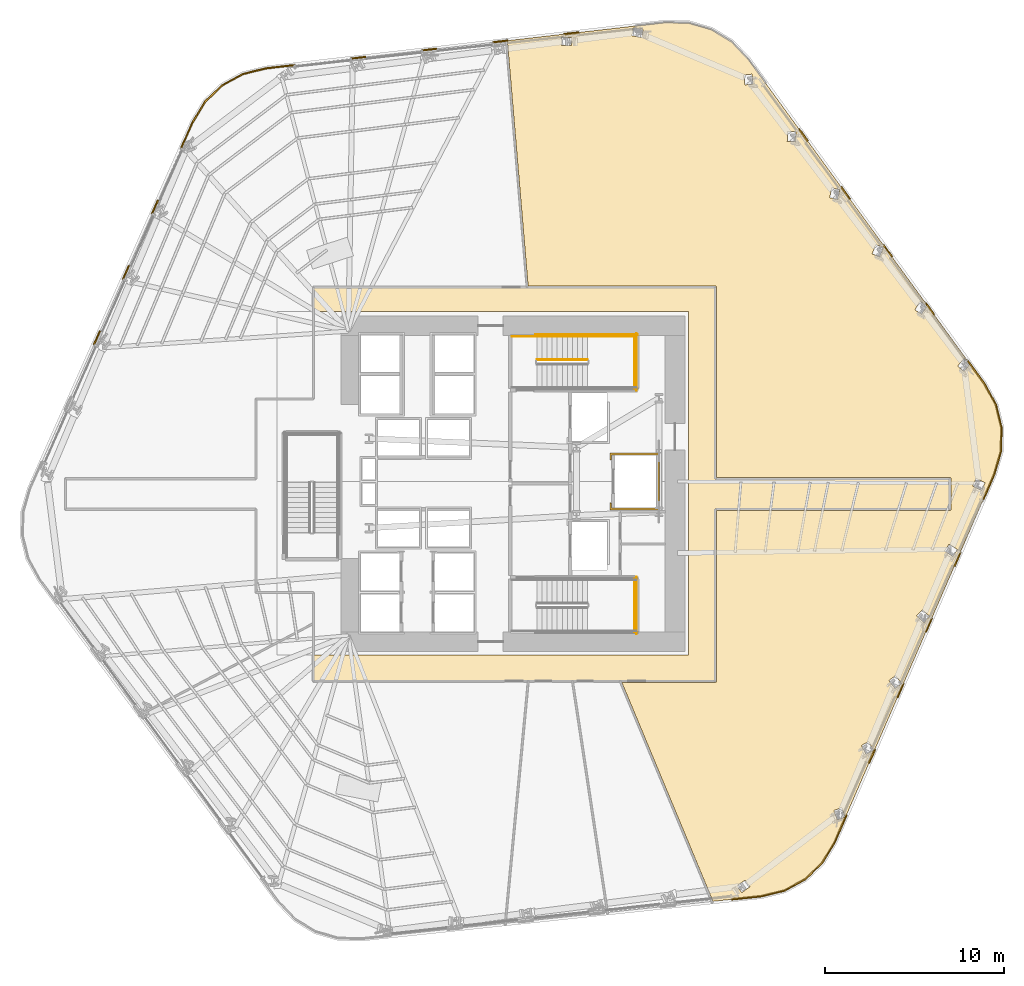
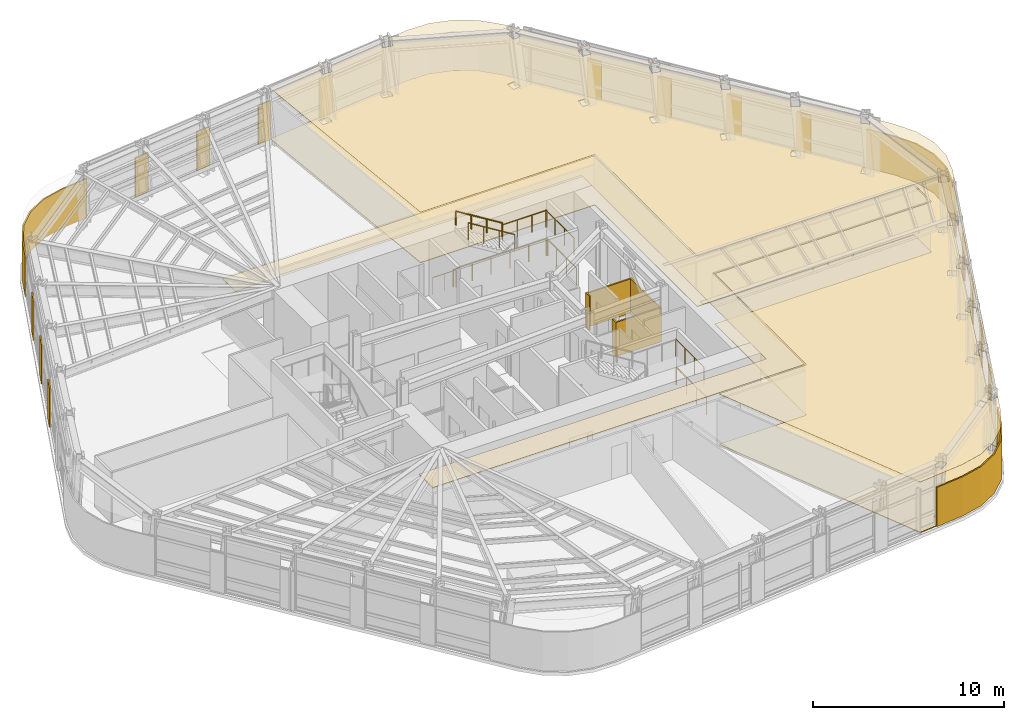
# One storey, part 14 of 16: 22 coverings, 9 railings.
"""IFC4 building model written with IfcOpenShell, lengths in metres."""

from ifc_helpers import new_model, si_unit, direction, frame, origin, origin_2d, place, context, subcontext, project, spatial, polyline, circle, outline, extrude, material, layer, layer_set, type_object, element, save


model = new_model("IFC4")

# Units and contexts
model_context = context("Model", 3, precision=1e-05, world=origin(), true_north=direction((0.0, 1.0)))
body_context = subcontext(model_context, "Body", "Model", "MODEL_VIEW")
ifc_project = project(units=[si_unit("LENGTHUNIT", "METRE"), si_unit("AREAUNIT", "SQUARE_METRE"), si_unit("VOLUMEUNIT", "CUBIC_METRE"), si_unit("PLANEANGLEUNIT", "RADIAN"), si_unit("MASSUNIT", "GRAM", prefix="KILO")], contexts=[model_context])

# Site, building, storey
site_placement = place(None, origin())
site = spatial("IfcSite", under=ifc_project, at=site_placement, CompositionType="ELEMENT")
building_placement = place(site_placement, origin())
building = spatial("IfcBuilding", under=site, at=building_placement, Name="Valkerne Bourse Tower", CompositionType="ELEMENT")
storey_placement = place(building_placement, frame((0.0, 0.0, 50.60009765625)))
storey = spatial("IfcBuildingStorey", under=building, at=storey_placement, Name="L12", CompositionType="ELEMENT", Elevation=50.60009765625)

# Coverings
ifc_material_1 = material(Name="Mineral Fiber Acoustic Ceiling Tile", Category="acoustic")
ifc_layer_1 = layer(ifc_material_1, 0.02490234375)
ifc_layer_set_1 = layer_set([ifc_layer_1], Name="Mineral Fiber Acoustic Ceiling Tile")
covering_type_1 = type_object("IfcCoveringType", Name="COV-CEIL-ACT", PredefinedType="CEILING", material=ifc_layer_set_1)
covering_1_placement = place(storey_placement, frame((0.0, 0.0, 3.22998046875)))
element("IfcCovering", 1, at=covering_1_placement, inside=storey, type_object=covering_type_1, Name="L12 Suspended Ceiling 07", PredefinedType="CEILING", context=body_context, shape_type="SweptSolid", body=[
    extrude(outline(polyline([(61.963623046875, 4.147216796875), (60.67333984375, 3.830322265625), (57.9697265625, 3.544189453125), (52.8759765625, 15.781005859375), (58.1005859375, 15.781005859375), (58.135009765625, 15.790283203125), (58.15966796875, 15.81494140625), (58.1689453125, 15.849609375), (58.1689453125, 25.381103515625), (71.2099609375, 25.381591796875), (71.2509765625, 25.403076171875), (71.268798828125, 25.446533203125), (71.265380859375, 27.1728515625), (71.24072265625, 27.205810546875), (71.20068359375, 27.218994140625), (58.1689453125, 27.218994140625), (58.1689453125, 37.850830078125), (58.151123046875, 37.896484375), (58.12890625, 37.91259765625), (58.100341796875, 37.9189453125), (47.642822265625, 37.9189453125), (46.483642578125, 51.626220703125), (55.284912109375, 52.637939453125), (56.61328125, 52.610107421875), (57.880615234375, 52.2421875), (59.00927734375, 51.55859375), (59.928955078125, 50.599609375), (72.248291015625, 33.66943359375), (71.99755859375, 33.875244140625), (71.642822265625, 33.44775390625), (71.643798828125, 33.444091796875), (71.99609375, 33.15478515625), (72.330078125, 33.55712890625), (73.12939453125, 32.45849609375), (73.769775390625, 31.293701171875), (74.08447265625, 30.01220703125), (74.056884765625, 28.693115234375), (73.68603515625, 27.416259765625), (64.7607421875, 6.832763671875), (64.072509765625, 5.6962890625), (63.1201171875, 4.782958984375), (61.963623046875, 4.147216796875)]), holes=[polyline([(50.0732421875, 51.810791015625), (50.069580078125, 51.811279296875), (49.51611328125, 51.8203125), (49.508056640625, 51.36279296875), (49.51171875, 51.3623046875), (50.065185546875, 51.353515625), (50.0732421875, 51.810791015625)]), polyline([(54.069091796875, 52.258056640625), (54.0654296875, 52.259033203125), (53.51953125, 52.350341796875), (53.443603515625, 51.899169921875), (53.447021484375, 51.898193359375), (53.992919921875, 51.806884765625), (54.069091796875, 52.258056640625)]), polyline([(59.58154296875, 4.033935546875), (60.03125, 4.3564453125), (59.764892578125, 4.728515625), (59.76171875, 4.726806640625), (59.31201171875, 4.404296875), (59.578125, 4.031982421875), (59.58154296875, 4.033935546875)]), polyline([(65.3505859375, 8.25390625), (65.353271484375, 8.256591796875), (65.15771484375, 8.777099609375), (64.730712890625, 8.618896484375), (64.727783203125, 8.6162109375), (64.923583984375, 8.095703125), (65.3505859375, 8.25390625)]), polyline([(66.933349609375, 11.9853515625), (66.662353515625, 12.47119140625), (66.263671875, 12.25048828125), (66.261474609375, 12.247802734375), (66.532470703125, 11.76220703125), (66.93115234375, 11.982421875), (66.933349609375, 11.9853515625)]), polyline([(68.50537109375, 15.71826171875), (68.507080078125, 15.72119140625), (68.161376953125, 16.156982421875), (67.80322265625, 15.875244140625), (67.8017578125, 15.872314453125), (68.147216796875, 15.436279296875), (68.50537109375, 15.71826171875)]), polyline([(70.0703125, 19.457275390625), (70.071533203125, 19.460693359375), (69.65869140625, 19.83349609375), (69.35205078125, 19.49658203125), (69.35107421875, 19.4931640625), (69.763671875, 19.120361328125), (70.0703125, 19.457275390625)]), polyline([(71.626220703125, 23.198974609375), (71.158935546875, 23.50048828125), (70.910400390625, 23.11865234375), (70.909912109375, 23.115234375), (71.377197265625, 22.813720703125), (71.625732421875, 23.195556640625), (71.626220703125, 23.198974609375)]), polyline([(73.1728515625, 26.92822265625), (73.1728515625, 26.93212890625), (72.666015625, 27.16064453125), (72.47705078125, 26.746337890625), (72.47705078125, 26.742431640625), (72.98388671875, 26.513916015625), (73.1728515625, 26.92822265625)]), polyline([(69.9267578125, 36.826171875), (69.534912109375, 37.059814453125), (69.248046875, 36.583984375), (69.24951171875, 36.58056640625), (69.641357421875, 36.346923828125), (69.927978515625, 36.82275390625), (69.9267578125, 36.826171875)]), polyline([(67.495849609375, 40.064208984375), (67.493896484375, 40.0673828125), (67.06982421875, 40.235107421875), (66.863037109375, 39.71923828125), (66.864990234375, 39.71630859375), (67.289306640625, 39.548583984375), (67.495849609375, 40.064208984375)]), polyline([(65.054443359375, 43.302490234375), (65.052001953125, 43.30517578125), (64.60595703125, 43.400390625), (64.4873046875, 42.857666015625), (64.489501953125, 42.85498046875), (64.935546875, 42.759765625), (65.054443359375, 43.302490234375)]), polyline([(62.603515625, 46.535888671875), (62.14794921875, 46.558349609375), (62.117919921875, 46.00341796875), (62.12060546875, 46.001220703125), (62.576171875, 45.97900390625), (62.606201171875, 46.53369140625), (62.603515625, 46.535888671875)]), polyline([(60.208251953125, 49.202392578125), (60.155517578125, 49.75537109375), (60.152099609375, 49.75732421875), (59.698486328125, 49.71142578125), (59.75146484375, 49.158447265625), (59.754638671875, 49.156494140625), (60.208251953125, 49.202392578125)])]), origin(), (0.0, 0.0, 1.0), 0.02490234375),
])
ifc_material_2 = material(Name="Bronze Anodised Aluminium AA 6063-T6", Category="aluminium")
ifc_layer_2 = layer(ifc_material_2, 0.030029296875)
ifc_layer_set_2 = layer_set([ifc_layer_2], Name="Bronze Anodised Aluminium AA 6063-T6")
covering_type_2 = type_object("IfcCoveringType", Name="COV-CEIL-METAL", PredefinedType="CEILING", material=ifc_layer_set_2)
covering_2_placement = place(storey_placement, frame((0.0, 0.0, 3.22998046875)))
element("IfcCovering", 2, at=covering_2_placement, inside=storey, type_object=covering_type_2, Name="L12 Suspended Ceiling 01", PredefinedType="CEILING", context=body_context, shape_type="SweptSolid", body=[
    extrude(outline(polyline([(71.196044921875, 27.14599609375), (71.196044921875, 25.4541015625), (58.095947265625, 25.4541015625), (58.095947265625, 15.85400390625), (35.654052734375, 15.85400390625), (35.654052734375, 17.300048828125), (56.60009765625, 17.300048828125), (56.60009765625, 36.5), (35.654052734375, 36.5), (35.654052734375, 37.845947265625), (58.095947265625, 37.845947265625), (58.095947265625, 27.14599609375), (71.196044921875, 27.14599609375)])), origin(), (0.0, 0.0, 1.0), 0.02490234375),
])
ifc_layer_3 = layer(ifc_material_2, 0.06005859375)
ifc_layer_set_3 = layer_set([ifc_layer_3], Name="Bronze Anodised Aluminium AA 6063-T6")
covering_type_3 = type_object("IfcCoveringType", Name="COV-CRN-ALUM", PredefinedType="CLADDING", material=ifc_layer_set_3)
covering_3_placement = place(storey_placement, origin())
element("IfcCovering", 3, at=covering_3_placement, inside=storey, type_object=covering_type_3, Name="L12 Wind-Shaped Corner Aluminium Cladding 01", PredefinedType="CLADDING", context=body_context, shape_type="SweptSolid", body=[
    extrude(outline(polyline([(64.107177734375, 5.668701171875), (63.146240234375, 4.747314453125), (61.97998046875, 4.10595703125), (60.680908203125, 3.786865234375), (59.010498046875, 3.610107421875), (59.001708984375, 3.689453125), (60.6669921875, 3.86572265625), (61.950439453125, 4.18115234375), (63.098388671875, 4.812255859375), (64.044189453125, 5.718994140625), (64.728759765625, 6.849365234375), (65.39501953125, 8.385986328125), (65.46826171875, 8.353759765625), (64.800048828125, 6.8125), (64.107177734375, 5.668701171875)])), origin(), (0.0, 0.0, 1.0), 2.5),
])
covering_4_placement = place(storey_placement, origin())
element("IfcCovering", 4, at=covering_4_placement, inside=storey, type_object=covering_type_3, Name="L12 Wind-Shaped Corner Aluminium Cladding 13", PredefinedType="CLADDING", context=body_context, shape_type="SweptSolid", body=[
    extrude(outline(polyline([(23.683837890625, 35.423828125), (23.757080078125, 35.391845703125), (23.416015625, 34.624267578125), (23.3427734375, 34.656494140625), (23.683837890625, 35.423828125)])), origin(), (0.0, 0.0, 1.0), 2.5),
])
covering_5_placement = place(storey_placement, origin())
element("IfcCovering", 5, at=covering_5_placement, inside=storey, type_object=covering_type_3, Name="L12 Wind-Shaped Corner Aluminium Cladding 14", PredefinedType="CLADDING", context=body_context, shape_type="SweptSolid", body=[
    extrude(outline(polyline([(25.306396484375, 39.07568359375), (25.379638671875, 39.04345703125), (25.03857421875, 38.27587890625), (24.96533203125, 38.30810546875), (25.306396484375, 39.07568359375)])), origin(), (0.0, 0.0, 1.0), 2.5),
])
covering_6_placement = place(storey_placement, origin())
element("IfcCovering", 6, at=covering_6_placement, inside=storey, type_object=covering_type_3, Name="L12 Wind-Shaped Corner Aluminium Cladding 15", PredefinedType="CLADDING", context=body_context, shape_type="SweptSolid", body=[
    extrude(outline(polyline([(26.92919921875, 42.7275390625), (27.00244140625, 42.6953125), (26.661376953125, 41.927734375), (26.587890625, 41.9599609375), (26.92919921875, 42.7275390625)])), origin(), (0.0, 0.0, 1.0), 2.5),
])
covering_7_placement = place(storey_placement, origin())
element("IfcCovering", 7, at=covering_7_placement, inside=storey, type_object=covering_type_3, Name="L12 Wind-Shaped Corner Aluminium Cladding 16", PredefinedType="CLADDING", context=body_context, shape_type="SweptSolid", body=[
    extrude(outline(polyline([(28.868896484375, 47.093017578125), (29.56201171875, 48.2373046875), (30.522705078125, 49.15869140625), (31.689208984375, 49.800048828125), (32.988525390625, 50.119140625), (34.59912109375, 50.30419921875), (34.60791015625, 50.224853515625), (33.002685546875, 50.040283203125), (31.718505859375, 49.724853515625), (30.570556640625, 49.09375), (29.625, 48.18701171875), (28.93994140625, 47.055908203125), (28.283935546875, 45.57958984375), (28.210693359375, 45.61181640625), (28.868896484375, 47.093017578125)])), origin(), (0.0, 0.0, 1.0), 2.5),
])
covering_8_placement = place(storey_placement, origin())
element("IfcCovering", 8, at=covering_8_placement, inside=storey, type_object=covering_type_3, Name="L12 Wind-Shaped Corner Aluminium Cladding 17", PredefinedType="CLADDING", context=body_context, shape_type="SweptSolid", body=[
    extrude(outline(polyline([(38.56884765625, 50.7607421875), (38.57763671875, 50.68115234375), (37.7431640625, 50.585205078125), (37.734375, 50.664794921875), (38.56884765625, 50.7607421875)])), origin(), (0.0, 0.0, 1.0), 2.5),
])
covering_9_placement = place(storey_placement, origin())
element("IfcCovering", 9, at=covering_9_placement, inside=storey, type_object=covering_type_3, Name="L12 Wind-Shaped Corner Aluminium Cladding 18", PredefinedType="CLADDING", context=body_context, shape_type="SweptSolid", body=[
    extrude(outline(polyline([(42.538818359375, 51.217041015625), (42.547607421875, 51.137451171875), (41.713134765625, 51.04150390625), (41.704345703125, 51.12109375), (42.538818359375, 51.217041015625)])), origin(), (0.0, 0.0, 1.0), 2.5),
])
covering_10_placement = place(storey_placement, origin())
element("IfcCovering", 10, at=covering_10_placement, inside=storey, type_object=covering_type_3, Name="L12 Wind-Shaped Corner Aluminium Cladding 19", PredefinedType="CLADDING", context=body_context, shape_type="SweptSolid", body=[
    extrude(outline(polyline([(46.5087890625, 51.67333984375), (46.517578125, 51.593994140625), (45.68310546875, 51.498046875), (45.67431640625, 51.577392578125), (46.5087890625, 51.67333984375)])), origin(), (0.0, 0.0, 1.0), 2.5),
])
covering_11_placement = place(storey_placement, origin())
element("IfcCovering", 11, at=covering_11_placement, inside=storey, type_object=covering_type_3, Name="L12 Wind-Shaped Corner Aluminium Cladding 20", PredefinedType="CLADDING", context=body_context, shape_type="SweptSolid", body=[
    extrude(outline(polyline([(50.478515625, 52.1298828125), (50.4873046875, 52.05029296875), (49.65283203125, 51.954345703125), (49.64404296875, 52.033935546875), (50.478515625, 52.1298828125)])), origin(), (0.0, 0.0, 1.0), 2.5),
])
covering_12_placement = place(storey_placement, origin())
element("IfcCovering", 12, at=covering_12_placement, inside=storey, type_object=covering_type_3, Name="L12 Wind-Shaped Corner Aluminium Cladding 22", PredefinedType="CLADDING", context=body_context, shape_type="SweptSolid", body=[
    extrude(outline(polyline([(63.30224609375, 46.038330078125), (63.23779296875, 45.990966796875), (62.74365234375, 46.670166015625), (62.80810546875, 46.717529296875), (63.30224609375, 46.038330078125)])), origin(), (0.0, 0.0, 1.0), 2.5),
])
covering_13_placement = place(storey_placement, origin())
element("IfcCovering", 13, at=covering_13_placement, inside=storey, type_object=covering_type_3, Name="L12 Wind-Shaped Corner Aluminium Cladding 23", PredefinedType="CLADDING", context=body_context, shape_type="SweptSolid", body=[
    extrude(outline(polyline([(65.653564453125, 42.80712890625), (65.589111328125, 42.759765625), (65.0947265625, 43.439208984375), (65.1591796875, 43.486328125), (65.653564453125, 42.80712890625)])), origin(), (0.0, 0.0, 1.0), 2.5),
])
covering_14_placement = place(storey_placement, origin())
element("IfcCovering", 14, at=covering_14_placement, inside=storey, type_object=covering_type_3, Name="L12 Wind-Shaped Corner Aluminium Cladding 24", PredefinedType="CLADDING", context=body_context, shape_type="SweptSolid", body=[
    extrude(outline(polyline([(68.004638671875, 39.575927734375), (67.940185546875, 39.52880859375), (67.44580078125, 40.2080078125), (67.510498046875, 40.25537109375), (68.004638671875, 39.575927734375)])), origin(), (0.0, 0.0, 1.0), 2.5),
])
covering_15_placement = place(storey_placement, origin())
element("IfcCovering", 15, at=covering_15_placement, inside=storey, type_object=covering_type_3, Name="L12 Wind-Shaped Corner Aluminium Cladding 25", PredefinedType="CLADDING", context=body_context, shape_type="SweptSolid", body=[
    extrude(outline(polyline([(70.35595703125, 36.344970703125), (70.29150390625, 36.297607421875), (69.797119140625, 36.976806640625), (69.861572265625, 37.024169921875), (70.35595703125, 36.344970703125)])), origin(), (0.0, 0.0, 1.0), 2.5),
])
covering_16_placement = place(storey_placement, origin())
element("IfcCovering", 16, at=covering_16_placement, inside=storey, type_object=covering_type_3, Name="L12 Wind-Shaped Corner Aluminium Cladding 26", PredefinedType="CLADDING", context=body_context, shape_type="SweptSolid", body=[
    extrude(outline(polyline([(73.16650390625, 32.482421875), (73.81103515625, 31.309814453125), (74.128662109375, 30.01708984375), (74.100830078125, 28.686279296875), (73.7275390625, 27.4013671875), (73.082763671875, 25.914306640625), (73.009521484375, 25.9462890625), (73.652099609375, 27.4287109375), (74.02099609375, 28.698486328125), (74.04833984375, 30.00830078125), (73.73583984375, 31.280517578125), (73.098876953125, 32.439208984375), (72.148193359375, 33.74560546875), (72.212646484375, 33.793212890625), (73.16650390625, 32.482421875)])), origin(), (0.0, 0.0, 1.0), 2.5),
])
covering_17_placement = place(storey_placement, origin())
element("IfcCovering", 17, at=covering_17_placement, inside=storey, type_object=covering_type_3, Name="L12 Wind-Shaped Corner Aluminium Cladding 27", PredefinedType="CLADDING", context=body_context, shape_type="SweptSolid", body=[
    extrude(outline(polyline([(71.492919921875, 22.248046875), (71.419677734375, 22.2802734375), (71.75390625, 23.05078125), (71.8271484375, 23.0185546875), (71.492919921875, 22.248046875)])), origin(), (0.0, 0.0, 1.0), 2.5),
])
covering_18_placement = place(storey_placement, origin())
element("IfcCovering", 18, at=covering_18_placement, inside=storey, type_object=covering_type_3, Name="L12 Wind-Shaped Corner Aluminium Cladding 28", PredefinedType="CLADDING", context=body_context, shape_type="SweptSolid", body=[
    extrude(outline(polyline([(69.9033203125, 18.581787109375), (69.830078125, 18.614013671875), (70.1640625, 19.384521484375), (70.2373046875, 19.352294921875), (69.9033203125, 18.581787109375)])), origin(), (0.0, 0.0, 1.0), 2.5),
])
covering_19_placement = place(storey_placement, origin())
element("IfcCovering", 19, at=covering_19_placement, inside=storey, type_object=covering_type_3, Name="L12 Wind-Shaped Corner Aluminium Cladding 29", PredefinedType="CLADDING", context=body_context, shape_type="SweptSolid", body=[
    extrude(outline(polyline([(68.3134765625, 14.91552734375), (68.240234375, 14.94775390625), (68.574462890625, 15.71826171875), (68.647705078125, 15.686279296875), (68.3134765625, 14.91552734375)])), origin(), (0.0, 0.0, 1.0), 2.5),
])
covering_20_placement = place(storey_placement, origin())
element("IfcCovering", 20, at=covering_20_placement, inside=storey, type_object=covering_type_3, Name="L12 Wind-Shaped Corner Aluminium Cladding 30", PredefinedType="CLADDING", context=body_context, shape_type="SweptSolid", body=[
    extrude(outline(polyline([(66.723876953125, 11.249267578125), (66.650390625, 11.281494140625), (66.984619140625, 12.052001953125), (67.057861328125, 12.02001953125), (66.723876953125, 11.249267578125)])), origin(), (0.0, 0.0, 1.0), 2.5),
])
ifc_material_3 = material(Name="Galvanised Painted Steel", Category="steel")
ifc_layer_4 = layer(ifc_material_3, 0.044921875)
ifc_layer_set_4 = layer_set([ifc_layer_4], Name="Galvanised Painted Steel")
covering_type_4 = type_object("IfcCoveringType", Name="COV-FLR-RAF", PredefinedType="FLOORING", material=ifc_layer_set_4)
covering_21_placement = place(storey_placement, origin())
element("IfcCovering", 21, at=covering_21_placement, inside=storey, type_object=covering_type_4, Name="L12 Floor Finish 07", PredefinedType="FLOORING", context=body_context, shape_type="SweptSolid", body=[
    extrude(outline(polyline([(61.963623046875, 4.147216796875), (60.67333984375, 3.830322265625), (57.9697265625, 3.544189453125), (52.8759765625, 15.781005859375), (58.1005859375, 15.781005859375), (58.135009765625, 15.790283203125), (58.15966796875, 15.81494140625), (58.1689453125, 15.849609375), (58.1689453125, 25.381103515625), (71.2099609375, 25.381591796875), (71.2509765625, 25.403076171875), (71.268798828125, 25.446533203125), (71.265380859375, 27.1728515625), (71.24072265625, 27.205810546875), (71.20068359375, 27.218994140625), (58.1689453125, 27.218994140625), (58.1689453125, 37.850830078125), (58.151123046875, 37.896484375), (58.12890625, 37.91259765625), (58.100341796875, 37.9189453125), (47.642822265625, 37.9189453125), (46.483642578125, 51.626220703125), (55.284912109375, 52.637939453125), (56.61328125, 52.610107421875), (57.880615234375, 52.2421875), (59.00927734375, 51.55859375), (59.928955078125, 50.599609375), (72.248291015625, 33.66943359375), (71.99755859375, 33.875244140625), (71.642822265625, 33.44775390625), (71.643798828125, 33.444091796875), (71.99609375, 33.15478515625), (72.330078125, 33.55712890625), (73.12939453125, 32.45849609375), (73.769775390625, 31.293701171875), (74.08447265625, 30.01220703125), (74.056884765625, 28.693115234375), (73.68603515625, 27.416259765625), (64.7607421875, 6.832763671875), (64.072509765625, 5.6962890625), (63.1201171875, 4.782958984375), (61.963623046875, 4.147216796875)]), holes=[polyline([(50.0732421875, 51.810791015625), (50.069580078125, 51.811279296875), (49.51611328125, 51.8203125), (49.508056640625, 51.36279296875), (49.51171875, 51.3623046875), (50.065185546875, 51.353515625), (50.0732421875, 51.810791015625)]), polyline([(54.069091796875, 52.258056640625), (54.0654296875, 52.259033203125), (53.51953125, 52.350341796875), (53.443603515625, 51.899169921875), (53.447021484375, 51.898193359375), (53.992919921875, 51.806884765625), (54.069091796875, 52.258056640625)]), polyline([(59.58154296875, 4.033935546875), (60.03125, 4.3564453125), (59.764892578125, 4.728515625), (59.76171875, 4.726806640625), (59.31201171875, 4.404296875), (59.578125, 4.031982421875), (59.58154296875, 4.033935546875)]), polyline([(65.3505859375, 8.25390625), (65.353271484375, 8.256591796875), (65.15771484375, 8.777099609375), (64.730712890625, 8.618896484375), (64.727783203125, 8.6162109375), (64.923583984375, 8.095703125), (65.3505859375, 8.25390625)]), polyline([(66.933349609375, 11.9853515625), (66.662353515625, 12.47119140625), (66.263671875, 12.25048828125), (66.261474609375, 12.247802734375), (66.532470703125, 11.76220703125), (66.93115234375, 11.982421875), (66.933349609375, 11.9853515625)]), polyline([(68.50537109375, 15.71826171875), (68.507080078125, 15.72119140625), (68.161376953125, 16.156982421875), (67.80322265625, 15.875244140625), (67.8017578125, 15.872314453125), (68.147216796875, 15.436279296875), (68.50537109375, 15.71826171875)]), polyline([(70.0703125, 19.457275390625), (70.071533203125, 19.460693359375), (69.65869140625, 19.83349609375), (69.35205078125, 19.49658203125), (69.35107421875, 19.4931640625), (69.763671875, 19.120361328125), (70.0703125, 19.457275390625)]), polyline([(71.626220703125, 23.198974609375), (71.158935546875, 23.50048828125), (70.910400390625, 23.11865234375), (70.909912109375, 23.115234375), (71.377197265625, 22.813720703125), (71.625732421875, 23.195556640625), (71.626220703125, 23.198974609375)]), polyline([(73.1728515625, 26.92822265625), (73.1728515625, 26.93212890625), (72.666015625, 27.16064453125), (72.47705078125, 26.746337890625), (72.47705078125, 26.742431640625), (72.98388671875, 26.513916015625), (73.1728515625, 26.92822265625)]), polyline([(69.9267578125, 36.826171875), (69.534912109375, 37.059814453125), (69.248046875, 36.583984375), (69.24951171875, 36.58056640625), (69.641357421875, 36.346923828125), (69.927978515625, 36.82275390625), (69.9267578125, 36.826171875)]), polyline([(67.495849609375, 40.064208984375), (67.493896484375, 40.0673828125), (67.06982421875, 40.235107421875), (66.863037109375, 39.71923828125), (66.864990234375, 39.71630859375), (67.289306640625, 39.548583984375), (67.495849609375, 40.064208984375)]), polyline([(65.054443359375, 43.302490234375), (65.052001953125, 43.30517578125), (64.60595703125, 43.400390625), (64.4873046875, 42.857666015625), (64.489501953125, 42.85498046875), (64.935546875, 42.759765625), (65.054443359375, 43.302490234375)]), polyline([(62.603515625, 46.535888671875), (62.14794921875, 46.558349609375), (62.117919921875, 46.00341796875), (62.12060546875, 46.001220703125), (62.576171875, 45.97900390625), (62.606201171875, 46.53369140625), (62.603515625, 46.535888671875)]), polyline([(60.208251953125, 49.202392578125), (60.155517578125, 49.75537109375), (60.152099609375, 49.75732421875), (59.698486328125, 49.71142578125), (59.75146484375, 49.158447265625), (59.754638671875, 49.156494140625), (60.208251953125, 49.202392578125)])]), origin(), (0.0, 0.0, 1.0), 0.044921875),
])
ifc_material_4 = material(Name="Gypsum Shaftwall Liner Board", Category="gypsum")
ifc_layer_5 = layer(ifc_material_4, 0.080078125)
ifc_layer_set_5 = layer_set([ifc_layer_5], Name="Gypsum Shaftwall Liner Board")
covering_type_5 = type_object("IfcCoveringType", Name="COV-SHF-CLAD", PredefinedType="CLADDING", material=ifc_layer_set_5)
covering_22_placement = place(storey_placement, origin())
element("IfcCovering", 22, at=covering_22_placement, inside=storey, type_object=covering_type_5, Name="L12 Hoistway & Riser Shaftwall Liner 08", PredefinedType="CLADDING", context=body_context, shape_type="SweptSolid", body=[
    extrude(outline(polyline([(54.97998046875, 25.419921875), (52.219970703125, 25.419921875), (52.219970703125, 25.81787109375), (52.227783203125, 25.814208984375), (52.269287109375, 25.79931640625), (52.31005859375, 25.789306640625), (52.31005859375, 25.510009765625), (54.889892578125, 25.510009765625), (54.889892578125, 28.489990234375), (52.31005859375, 28.489990234375), (52.31005859375, 28.210693359375), (52.269287109375, 28.20068359375), (52.227783203125, 28.185791015625), (52.219970703125, 28.18212890625), (52.219970703125, 28.580078125), (54.97998046875, 28.580078125), (54.97998046875, 25.419921875)])), origin(), (0.0, 0.0, 1.0), 2.179931640625),
])

# Railings
railing_type_1 = type_object("IfcRailingType", Name="RLG-ST-GUARD-1120", PredefinedType="GUARDRAIL", material=ifc_material_3)
railing_1_placement = place(storey_placement, frame((53.60009765625, 18.60009765625, 1.89990234375)))
element("IfcRailing", 23, at=railing_1_placement, inside=storey, type_object=railing_type_1, Name="L12 ST-1 stair guard 5", PredefinedType="GUARDRAIL", context=body_context, shape_type="SweptSolid", body=[
    extrude(circle(Radius=0.02392578125, at=origin_2d()), frame((0.0, 0.0, 1.09619140625), z_axis=(0.0, 1.0, 0.0), x_axis=(-1.0, 0.0, 0.0)), (0.0, 0.0, 1.0), 2.949951171875),
    extrude(circle(Radius=0.02099609375, at=origin_2d()), origin(), (0.0, 0.0, 1.0), 1.072021484375),
    extrude(circle(Radius=0.02099609375, at=origin_2d()), frame((0.0, 0.9833984375, 0.0)), (0.0, 0.0, 1.0), 1.072021484375),
    extrude(circle(Radius=0.02099609375, at=origin_2d()), frame((0.0, 1.966552734375, 0.0)), (0.0, 0.0, 1.0), 1.072021484375),
    extrude(circle(Radius=0.02099609375, at=origin_2d()), frame((0.0, 2.949951171875, 0.0)), (0.0, 0.0, 1.0), 1.072021484375),
])
railing_2_placement = place(storey_placement, frame((53.699951171875, 18.5, 0.0)))
element("IfcRailing", 24, at=railing_2_placement, inside=storey, type_object=railing_type_1, Name="L12 ST-1 stair guard 12", PredefinedType="GUARDRAIL", context=body_context, shape_type="SweptSolid", body=[
    extrude(circle(Radius=0.02392578125, at=origin_2d()), frame((0.0, 0.0, 1.09619140625), z_axis=(0.0, 1.0, 0.0), x_axis=(-1.0, 0.0, 0.0)), (0.0, 0.0, 1.0), 3.14990234375),
    extrude(circle(Radius=0.02099609375, at=origin_2d()), origin(), (0.0, 0.0, 1.0), 1.072021484375),
    extrude(circle(Radius=0.02099609375, at=origin_2d()), frame((0.0, 1.050048828125, 0.0)), (0.0, 0.0, 1.0), 1.072021484375),
    extrude(circle(Radius=0.02099609375, at=origin_2d()), frame((0.0, 2.099853515625, 0.0)), (0.0, 0.0, 1.0), 1.072021484375),
    extrude(circle(Radius=0.02099609375, at=origin_2d()), frame((0.0, 3.14990234375, 0.0)), (0.0, 0.0, 1.0), 1.072021484375),
])
railing_3_placement = place(storey_placement, frame((50.949951171875, 35.10009765625, 1.89990234375)))
element("IfcRailing", 25, at=railing_3_placement, inside=storey, type_object=railing_type_1, Name="L12 ST-2 stair guard 4", PredefinedType="GUARDRAIL", context=body_context, shape_type="SweptSolid", body=[
    extrude(circle(Radius=0.02392578125, at=origin_2d()), frame((0.0, 0.0, 1.09619140625), z_axis=(1.0, 0.0, 0.0), x_axis=(0.0, 1.0, 0.0)), (0.0, 0.0, 1.0), 2.699951171875),
    extrude(circle(Radius=0.02099609375, at=origin_2d()), origin(), (0.0, 0.0, 1.0), 1.072021484375),
    extrude(circle(Radius=0.02099609375, at=origin_2d()), frame((0.89990234375, 0.0, 0.0)), (0.0, 0.0, 1.0), 1.072021484375),
    extrude(circle(Radius=0.02099609375, at=origin_2d()), frame((1.800048828125, 0.0, 0.0)), (0.0, 0.0, 1.0), 1.072021484375),
    extrude(circle(Radius=0.02099609375, at=origin_2d()), frame((2.699951171875, 0.0, 0.0)), (0.0, 0.0, 1.0), 1.072021484375),
])
railing_4_placement = place(storey_placement, frame((53.60009765625, 32.199951171875, 1.89990234375)))
element("IfcRailing", 26, at=railing_4_placement, inside=storey, type_object=railing_type_1, Name="L12 ST-2 stair guard 5", PredefinedType="GUARDRAIL", context=body_context, shape_type="SweptSolid", body=[
    extrude(circle(Radius=0.02392578125, at=origin_2d()), frame((0.0, 0.0, 1.09619140625), z_axis=(0.0, 1.0, 0.0), x_axis=(-1.0, 0.0, 0.0)), (0.0, 0.0, 1.0), 2.949951171875),
    extrude(circle(Radius=0.02099609375, at=origin_2d()), origin(), (0.0, 0.0, 1.0), 1.072021484375),
    extrude(circle(Radius=0.02099609375, at=origin_2d()), frame((0.0, 0.9833984375, 0.0)), (0.0, 0.0, 1.0), 1.072021484375),
    extrude(circle(Radius=0.02099609375, at=origin_2d()), frame((0.0, 1.966552734375, 0.0)), (0.0, 0.0, 1.0), 1.072021484375),
    extrude(circle(Radius=0.02099609375, at=origin_2d()), frame((0.0, 2.949951171875, 0.0)), (0.0, 0.0, 1.0), 1.072021484375),
])
railing_5_placement = place(storey_placement, frame((50.949951171875, 33.800048828125, 2.072509765625)))
element("IfcRailing", 27, at=railing_5_placement, inside=storey, type_object=railing_type_1, Name="L12 ST-2 stair guard 6", PredefinedType="GUARDRAIL", context=body_context, shape_type="SweptSolid", body=[
    extrude(circle(Radius=0.02392578125, at=origin_2d()), frame((0.0, 0.0, 1.09619140625), z_axis=(-0.851089632645, 0.0, 0.525020415988), x_axis=(0.0, -1.0, 0.0)), (0.0, 0.0, 1.0), 3.2900390625),
    extrude(circle(Radius=0.02099609375, at=origin_2d()), origin(), (0.0, 0.0, 1.0), 1.072021484375),
    extrude(circle(Radius=0.02099609375, at=origin_2d()), frame((-0.933349609375, 0.0, 0.57568359375)), (0.0, 0.0, 1.0), 1.072021484375),
    extrude(circle(Radius=0.02099609375, at=origin_2d()), frame((-1.86669921875, 0.0, 1.151611328125)), (0.0, 0.0, 1.0), 1.072021484375),
    extrude(circle(Radius=0.02099609375, at=origin_2d()), frame((-2.800048828125, 0.0, 1.727294921875)), (0.0, 0.0, 1.0), 1.072021484375),
])
railing_6_placement = place(storey_placement, frame((46.75, 35.10009765625, 0.0)))
element("IfcRailing", 28, at=railing_6_placement, inside=storey, type_object=railing_type_1, Name="L12 ST-2 stair guard 9", PredefinedType="GUARDRAIL", context=body_context, shape_type="SweptSolid", body=[
    extrude(circle(Radius=0.02392578125, at=origin_2d()), frame((0.0, 0.0, 1.09619140625), z_axis=(1.0, 0.0, 0.0), x_axis=(0.0, 1.0, 0.0)), (0.0, 0.0, 1.0), 1.39990234375),
    extrude(circle(Radius=0.02099609375, at=origin_2d()), origin(), (0.0, 0.0, 1.0), 1.072021484375),
    extrude(circle(Radius=0.02099609375, at=origin_2d()), frame((0.699951171875, 0.0, 0.0)), (0.0, 0.0, 1.0), 1.072021484375),
    extrude(circle(Radius=0.02099609375, at=origin_2d()), frame((1.39990234375, 0.0, 0.0)), (0.0, 0.0, 1.0), 1.072021484375),
])
railing_7_placement = place(storey_placement, frame((48.050048828125, 35.199951171875, 0.0)))
element("IfcRailing", 29, at=railing_7_placement, inside=storey, type_object=railing_type_1, Name="L12 ST-2 stair guard 11", PredefinedType="GUARDRAIL", context=body_context, shape_type="SweptSolid", body=[
    extrude(circle(Radius=0.02392578125, at=origin_2d()), frame((0.0, 0.0, 1.09619140625), z_axis=(1.0, 0.0, 0.0), x_axis=(0.0, 1.0, 0.0)), (0.0, 0.0, 1.0), 5.699951171875),
    extrude(circle(Radius=0.02099609375, at=origin_2d()), origin(), (0.0, 0.0, 1.0), 1.072021484375),
    extrude(circle(Radius=0.02099609375, at=origin_2d()), frame((1.139892578125, 0.0, 0.0)), (0.0, 0.0, 1.0), 1.072021484375),
    extrude(circle(Radius=0.02099609375, at=origin_2d()), frame((2.280029296875, 0.0, 0.0)), (0.0, 0.0, 1.0), 1.072021484375),
    extrude(circle(Radius=0.02099609375, at=origin_2d()), frame((3.419921875, 0.0, 0.0)), (0.0, 0.0, 1.0), 1.072021484375),
    extrude(circle(Radius=0.02099609375, at=origin_2d()), frame((4.56005859375, 0.0, 0.0)), (0.0, 0.0, 1.0), 1.072021484375),
    extrude(circle(Radius=0.02099609375, at=origin_2d()), frame((5.699951171875, 0.0, 0.0)), (0.0, 0.0, 1.0), 1.072021484375),
])
railing_8_placement = place(storey_placement, frame((53.699951171875, 32.10009765625, 0.0)))
element("IfcRailing", 30, at=railing_8_placement, inside=storey, type_object=railing_type_1, Name="L12 ST-2 stair guard 12", PredefinedType="GUARDRAIL", context=body_context, shape_type="SweptSolid", body=[
    extrude(circle(Radius=0.02392578125, at=origin_2d()), frame((0.0, 0.0, 1.09619140625), z_axis=(0.0, 1.0, 0.0), x_axis=(-1.0, 0.0, 0.0)), (0.0, 0.0, 1.0), 3.14990234375),
    extrude(circle(Radius=0.02099609375, at=origin_2d()), origin(), (0.0, 0.0, 1.0), 1.072021484375),
    extrude(circle(Radius=0.02099609375, at=origin_2d()), frame((0.0, 1.050048828125, 0.0)), (0.0, 0.0, 1.0), 1.072021484375),
    extrude(circle(Radius=0.02099609375, at=origin_2d()), frame((0.0, 2.099853515625, 0.0)), (0.0, 0.0, 1.0), 1.072021484375),
    extrude(circle(Radius=0.02099609375, at=origin_2d()), frame((0.0, 3.14990234375, 0.0)), (0.0, 0.0, 1.0), 1.072021484375),
])
ifc_material_5 = material(Name="Stainless Steel AISI 316", Category="steel")
railing_type_2 = type_object("IfcRailingType", Name="RLG-ST-HANDRAIL-900", PredefinedType="HANDRAIL", material=ifc_material_5)
railing_9_placement = place(storey_placement, frame((50.949951171875, 35.10009765625, 2.245361328125)))
element("IfcRailing", 31, at=railing_9_placement, inside=storey, type_object=railing_type_2, Name="L12 ST-2 stair handrail 2", PredefinedType="HANDRAIL", context=body_context, shape_type="SweptSolid", body=[
    extrude(circle(Radius=0.02392578125, at=origin_2d()), frame((0.0, 0.0, 0.8759765625), z_axis=(-0.851089632645, 0.0, 0.525020415988), x_axis=(0.0, -1.0, 0.0)), (0.0, 0.0, 1.0), 3.2900390625),
    extrude(circle(Radius=0.02099609375, at=origin_2d()), origin(), (0.0, 0.0, 1.0), 0.851806640625),
    extrude(circle(Radius=0.02099609375, at=origin_2d()), frame((-0.933349609375, 0.0, 0.57568359375)), (0.0, 0.0, 1.0), 0.851806640625),
    extrude(circle(Radius=0.02099609375, at=origin_2d()), frame((-1.86669921875, 0.0, 1.151611328125)), (0.0, 0.0, 1.0), 0.851806640625),
    extrude(circle(Radius=0.02099609375, at=origin_2d()), frame((-2.800048828125, 0.0, 1.727294921875)), (0.0, 0.0, 1.0), 0.851806640625),
])

save(model, "model.ifc")
